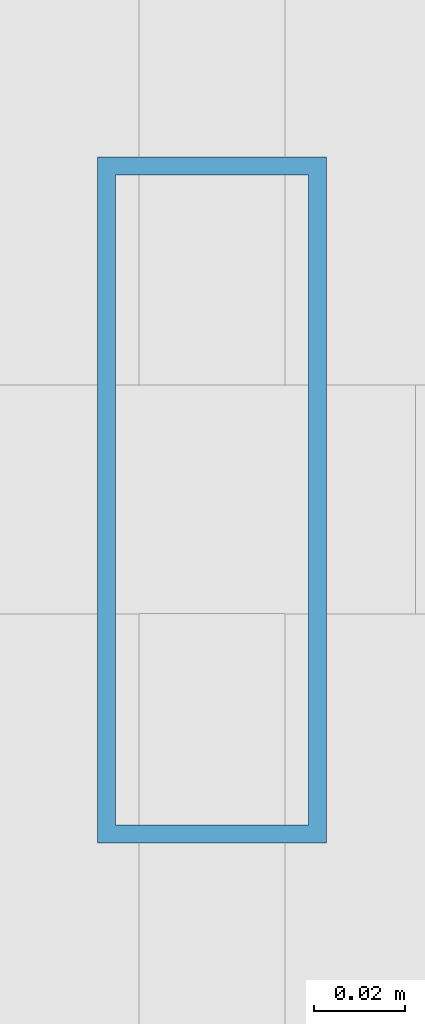
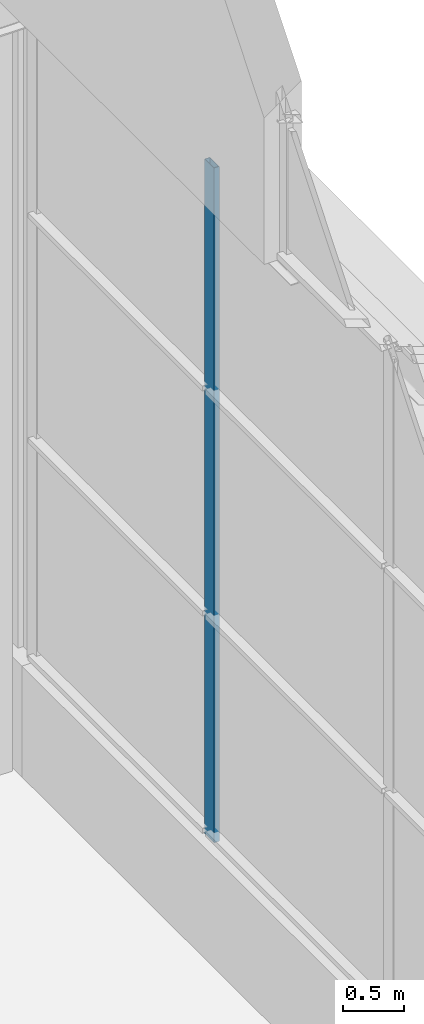
# One storey, part 73 of 144: 1 member, 1 element without a shape of its own.
"""IFC4 building model written with IfcOpenShell, lengths in metres."""

from ifc_helpers import new_model, si_unit, direction, frame, origin, origin_2d, place, context, subcontext, project, spatial, hollow_rectangle, extrude, material, layer, layer_set, material_profile, profile_set, type_object, element, aggregate, save


model = new_model("IFC4")

# Units and contexts
model_context = context("Model", 3, precision=1e-05, world=origin(), true_north=direction((0.0, 1.0)))
body_context = subcontext(model_context, "Body", "Model", "MODEL_VIEW")
ifc_project = project(units=[si_unit("LENGTHUNIT", "METRE"), si_unit("AREAUNIT", "SQUARE_METRE"), si_unit("VOLUMEUNIT", "CUBIC_METRE"), si_unit("PLANEANGLEUNIT", "RADIAN"), si_unit("MASSUNIT", "GRAM", prefix="KILO")], contexts=[model_context])

# Site, building, storey
site_placement = place(None, origin())
site = spatial("IfcSite", under=ifc_project, at=site_placement, CompositionType="ELEMENT")
building_placement = place(site_placement, origin())
building = spatial("IfcBuilding", under=site, at=building_placement, Name="Shorebreak Coast Museum", CompositionType="ELEMENT")
storey_placement = place(building_placement, frame((0.0, 0.0, 36.0)))
storey = spatial("IfcBuildingStorey", under=building, at=storey_placement, Name="L06", CompositionType="ELEMENT", Elevation=36.0)

# Curtain wall, member
ifc_material_1 = material(Name="Aluminium", Category="aluminium")
ifc_layer = layer(ifc_material_1, 0.14990234375)
ifc_layer_set = layer_set([ifc_layer], Name="Aluminium")
curtain_wall_type = type_object("IfcCurtainWallType", Name="Storefront curtain wall", PredefinedType="NOTDEFINED", material=ifc_layer_set)
curtain_wall_placement = place(storey_placement, origin())
curtain_wall = element("IfcCurtainWall", 1, at=curtain_wall_placement, inside=storey, type_object=curtain_wall_type, Name="Atrium Hall glazing L06 E 20", PredefinedType="NOTDEFINED")
ifc_material_2 = material(Name="Aluminium", Category="aluminium")
ifc_material_profile = material_profile(ifc_material_2, hollow_rectangle(XDim=0.050048828125, YDim=0.14990234375, WallThickness=0.00390625, at=origin_2d()), Name="AL 150x50 RHS")
ifc_profile_set = profile_set([ifc_material_profile], Name="Aluminium")
member_type = type_object("IfcMemberType", Name="Storefront mullion 50 x 150", PredefinedType="MULLION", material=ifc_profile_set)
member_placement = place(storey_placement, frame((116.85009765625, 68.962890625, 1.10009765625), z_axis=(0.0, 0.0, 1.0), x_axis=(-1.0, 0.0, 0.0)))
member = element("IfcMember", 2, at=member_placement, type_object=member_type, Name="CW5 mullion 3", PredefinedType="MULLION", context=body_context, shape_type="SweptSolid", body=[
    extrude(hollow_rectangle(XDim=0.050048828125, YDim=0.14990234375, WallThickness=0.00390625, at=origin_2d()), origin(), (0.0, 0.0, 1.0), 6.699951171875),
])
aggregate(curtain_wall, [member])

save(model, "model.ifc")
